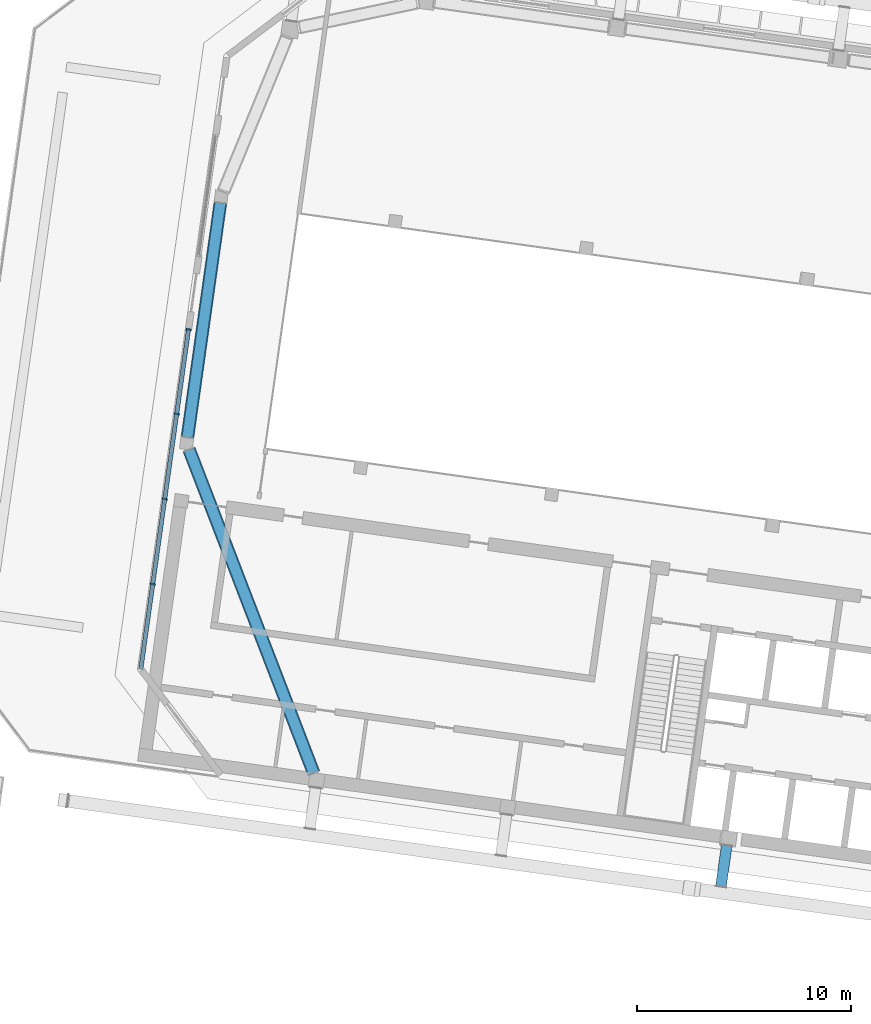
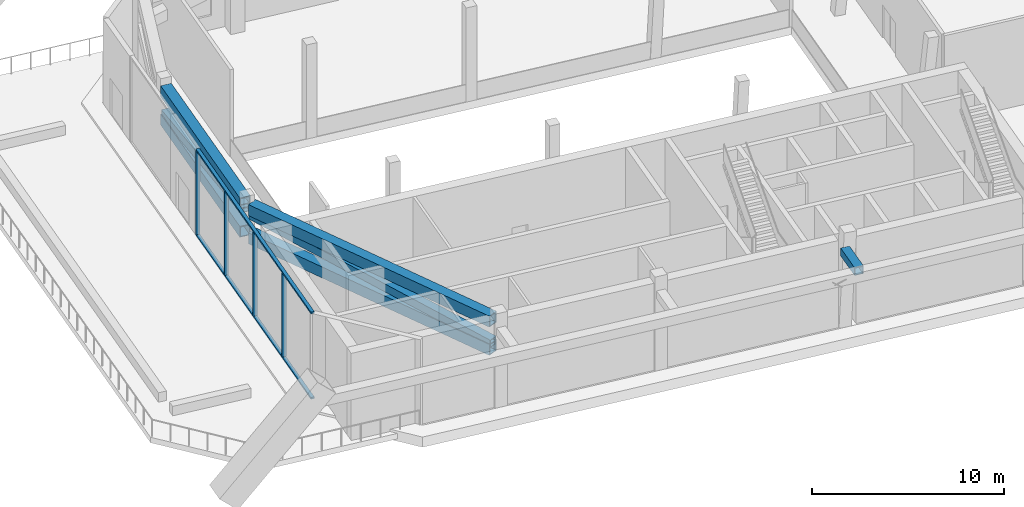
# One storey, part 4 of 29: 13 members, 1 element without a shape of its own.
"""IFC4 building model written with IfcOpenShell, lengths in metres."""

from ifc_helpers import new_model, si_unit, direction, frame, origin, origin_2d, place, context, subcontext, project, spatial, rectangle, hollow_rectangle, extrude, material, material_profile, profile_set, type_object, element, aggregate, save


model = new_model("IFC4")

# Units and contexts
model_context = context("Model", 3, precision=1e-05, world=origin(), true_north=direction((0.0, 1.0)))
body_context = subcontext(model_context, "Body", "Model", "MODEL_VIEW")
ifc_project = project(units=[si_unit("LENGTHUNIT", "METRE"), si_unit("AREAUNIT", "SQUARE_METRE"), si_unit("VOLUMEUNIT", "CUBIC_METRE"), si_unit("PLANEANGLEUNIT", "RADIAN"), si_unit("MASSUNIT", "GRAM", prefix="KILO")], contexts=[model_context])

# Site, building, storey
site_placement = place(None, origin())
site = spatial("IfcSite", under=ifc_project, at=site_placement, CompositionType="ELEMENT")
building_placement = place(site_placement, origin())
building = spatial("IfcBuilding", under=site, at=building_placement, Name="Mirante Cascada Hotel Towers", CompositionType="ELEMENT")
storey_placement = place(building_placement, frame((0.0, 0.0, 210.6)))
storey = spatial("IfcBuildingStorey", under=building, at=storey_placement, Name="L50", CompositionType="ELEMENT", Elevation=210.6)

# Members
ifc_material_1 = material(Name="Steel ASTM A572 Gr 50", Category="steel")
ifc_material_profile_1 = material_profile(ifc_material_1, hollow_rectangle(XDim=0.6, YDim=0.7, WallThickness=0.05, at=origin_2d()), Name="Box chord 700x600x50 ASTM A572 Gr 50")
ifc_profile_set_1 = profile_set([ifc_material_profile_1], Name="Steel ASTM A572 Gr 50")
member_type_1 = type_object("IfcMemberType", Name="Box chord 700x600x50 ASTM A572 Gr 50", PredefinedType="CHORD", material=ifc_profile_set_1)
for number, where, z_axis, x_axis, name in (
    (1, (-72.7094, 11.6973, 5.2), (-0.1391663, -0.990269, 0.0), (0.990269, -0.1391663, 0.0), "belt T1 L50 19"),
    (2, (-72.7094, 11.6973, 3.4), (-0.1391663, -0.990269, 0.0), (0.990269, -0.1391663, 0.0), "belt T1 L50 20"),
):
    element("IfcMember", number, at=place(storey_placement, frame(where, z_axis=z_axis, x_axis=x_axis)), inside=storey, type_object=member_type_1, Name=name, PredefinedType="CHORD", context=body_context, shape_type="SweptSolid", body=[
        extrude(hollow_rectangle(XDim=0.6, YDim=0.7, WallThickness=0.05, at=origin_2d()), origin(), (0.0, 0.0, 1.0), 11.04),
    ])
for number, where, z_axis, x_axis, name in (
    (3, (-74.1686, 0.1858, 5.2), (0.3595268, -0.9331348, 0.0), (0.9331348, 0.3595268, 0.0), "belt T1 L50 22"),
    (4, (-74.1686, 0.1858, 3.4), (0.3595268, -0.9331348, 0.0), (0.9331348, 0.3595268, 0.0), "belt T1 L50 23"),
):
    element("IfcMember", number, at=place(storey_placement, frame(where, z_axis=z_axis, x_axis=x_axis)), inside=storey, type_object=member_type_1, Name=name, PredefinedType="CHORD", context=body_context, shape_type="SweptSolid", body=[
        extrude(hollow_rectangle(XDim=0.6, YDim=0.7, WallThickness=0.05, at=origin_2d()), origin(), (0.0, 0.0, 1.0), 16.1724),
    ])
ifc_material_2 = material(Name="Steel ASTM A572 Gr 50", Category="steel")
ifc_material_profile_2 = material_profile(ifc_material_2, hollow_rectangle(XDim=0.5, YDim=0.5, WallThickness=0.035, at=origin_2d()), Name="Box diagonal 500x500x35 ASTM A572 Gr 50")
ifc_profile_set_2 = profile_set([ifc_material_profile_2], Name="Steel ASTM A572 Gr 50")
member_type_2 = type_object("IfcMemberType", Name="Box diagonal 500x500x35 ASTM A572 Gr 50", PredefinedType="BRACE", material=ifc_profile_set_2)
member_1_placement = place(storey_placement, frame((-72.7094, 11.6973, 3.75), z_axis=(-0.1384806, -0.9853898, 0.0991465), x_axis=(0.990269, -0.1391663, 0.0)))
element("IfcMember", 5, at=member_1_placement, inside=storey, type_object=member_type_2, Name="belt T1 L50 21", PredefinedType="BRACE", context=body_context, shape_type="SweptSolid", body=[
    extrude(hollow_rectangle(XDim=0.5, YDim=0.5, WallThickness=0.035, at=origin_2d()), origin(), (0.0, 0.0, 1.0), 11.0947),
])
member_2_placement = place(storey_placement, frame((-74.1686, 0.1858, 4.85), z_axis=(0.358698, -0.9309837, -0.0678605), x_axis=(0.9331348, 0.3595268, 0.0)))
element("IfcMember", 6, at=member_2_placement, inside=storey, type_object=member_type_2, Name="belt T1 L50 24", PredefinedType="BRACE", context=body_context, shape_type="SweptSolid", body=[
    extrude(hollow_rectangle(XDim=0.5, YDim=0.5, WallThickness=0.035, at=origin_2d()), origin(), (0.0, 0.0, 1.0), 16.2097),
])
ifc_material_3 = material(Name="Steel ASTM A572 Gr 50", Category="steel")
ifc_material_profile_3 = material_profile(ifc_material_3, hollow_rectangle(XDim=0.5, YDim=0.5, WallThickness=0.035, at=origin_2d()), Name="Box tie 500x500x35 ASTM A572 Gr 50")
ifc_profile_set_3 = profile_set([ifc_material_profile_3], Name="Steel ASTM A572 Gr 50")
member_type_3 = type_object("IfcMemberType", Name="Box tie 500x500x35 ASTM A572 Gr 50", PredefinedType="STRUT", material=ifc_profile_set_3)
member_3_placement = place(storey_placement, frame((-49.0836, -18.2825, 4.85), z_axis=(-0.1391695, -0.9902686, 0.0), x_axis=(0.9902686, -0.1391695, 0.0)))
element("IfcMember", 7, at=member_3_placement, inside=storey, type_object=member_type_3, Name="tie T1 L50 4", PredefinedType="STRUT", context=body_context, shape_type="SweptSolid", body=[
    extrude(hollow_rectangle(XDim=0.5, YDim=0.5, WallThickness=0.035, at=origin_2d()), origin(), (0.0, 0.0, 1.0), 1.9401),
])

# Curtain wall, members
ifc_material_4 = material(Name="Aluminium mullion and transom frame with clear laminated glass", Category="aluminium")
curtain_wall_type = type_object("IfcCurtainWallType", Name="Sky garden curtain wall ECW4", PredefinedType="NOTDEFINED", material=ifc_material_4)
curtain_wall_placement = place(storey_placement, origin())
curtain_wall = element("IfcCurtainWall", 8, at=curtain_wall_placement, inside=storey, type_object=curtain_wall_type, Name="Sky garden wall T1 L50 run 1", PredefinedType="NOTDEFINED")
ifc_material_5 = material(Name="Anodised aluminium extrusion", Category="aluminium")
ifc_material_profile_4 = material_profile(ifc_material_5, rectangle(XDim=0.24, YDim=0.075, at=origin_2d()), Name="ECW4 MULLION 75x240")
ifc_profile_set_4 = profile_set([ifc_material_profile_4], Name="Anodised aluminium extrusion")
member_type_4 = type_object("IfcMemberType", Name="ECW4 mullion 75x240", PredefinedType="MULLION", material=ifc_profile_set_4)
member_4_placement = place(storey_placement, frame((-75.8649, -6.085, 0.11), z_axis=(0.0, 0.0, 1.0), x_axis=(-0.9902681, 0.1391731, 0.0)))
member_4 = element("IfcMember", 9, at=member_4_placement, type_object=member_type_4, Name="ECW4 mullion 2", PredefinedType="MULLION", context=body_context, shape_type="SweptSolid", body=[
    extrude(rectangle(XDim=0.24, YDim=0.075, at=origin_2d()), origin(), (0.0, 0.0, 1.0), 5.33),
])
member_5_placement = place(storey_placement, frame((-75.3069, -2.1146, 0.11), z_axis=(0.0, 0.0, 1.0), x_axis=(-0.9902681, 0.1391731, 0.0)))
member_5 = element("IfcMember", 10, at=member_5_placement, type_object=member_type_4, Name="ECW4 mullion 3", PredefinedType="MULLION", context=body_context, shape_type="SweptSolid", body=[
    extrude(rectangle(XDim=0.24, YDim=0.075, at=origin_2d()), origin(), (0.0, 0.0, 1.0), 5.33),
])
member_6_placement = place(storey_placement, frame((-74.7489, 1.8559, 0.11), z_axis=(0.0, 0.0, 1.0), x_axis=(-0.9902681, 0.1391731, 0.0)))
member_6 = element("IfcMember", 11, at=member_6_placement, type_object=member_type_4, Name="ECW4 mullion 4", PredefinedType="MULLION", context=body_context, shape_type="SweptSolid", body=[
    extrude(rectangle(XDim=0.24, YDim=0.075, at=origin_2d()), origin(), (0.0, 0.0, 1.0), 5.33),
])
member_7_placement = place(storey_placement, frame((-74.1961, 5.7892, 0.11), z_axis=(0.0, 0.0, 1.0), x_axis=(-0.9902681, 0.1391731, 0.0)))
member_7 = element("IfcMember", 12, at=member_7_placement, type_object=member_type_4, Name="ECW4 mullion 5", PredefinedType="MULLION", context=body_context, shape_type="SweptSolid", body=[
    extrude(rectangle(XDim=0.24, YDim=0.075, at=origin_2d()), origin(), (0.0, 0.0, 1.0), 5.33),
])
ifc_material_6 = material(Name="Anodised aluminium extrusion", Category="aluminium")
ifc_material_profile_5 = material_profile(ifc_material_6, rectangle(XDim=0.2, YDim=0.11, at=origin_2d()), Name="ECW4 TRANSOM 110x200")
ifc_profile_set_5 = profile_set([ifc_material_profile_5], Name="Anodised aluminium extrusion")
member_type_5 = type_object("IfcMemberType", Name="ECW4 transom 110x200", PredefinedType="USERDEFINED", material=ifc_profile_set_5)
member_8_placement = place(storey_placement, frame((-76.4229, -10.0554, 0.055), z_axis=(0.1391775, 0.9902674, 0.0), x_axis=(-0.9902674, 0.1391775, 0.0)))
member_8 = element("IfcMember", 13, at=member_8_placement, type_object=member_type_5, Name="ECW4 sill transom", ObjectType="TRANSOM", PredefinedType="USERDEFINED", context=body_context, shape_type="SweptSolid", body=[
    extrude(rectangle(XDim=0.2, YDim=0.11, at=origin_2d()), origin(), (0.0, 0.0, 1.0), 16.0378),
])
member_9_placement = place(storey_placement, frame((-76.4229, -10.0554, 5.495), z_axis=(0.1391775, 0.9902674, 0.0), x_axis=(-0.9902674, 0.1391775, 0.0)))
member_9 = element("IfcMember", 14, at=member_9_placement, type_object=member_type_5, Name="ECW4 head transom", ObjectType="TRANSOM", PredefinedType="USERDEFINED", context=body_context, shape_type="SweptSolid", body=[
    extrude(rectangle(XDim=0.2, YDim=0.11, at=origin_2d()), origin(), (0.0, 0.0, 1.0), 16.0378),
])
aggregate(curtain_wall, [member_8, member_9, member_4, member_5, member_6, member_7])

save(model, "model.ifc")
